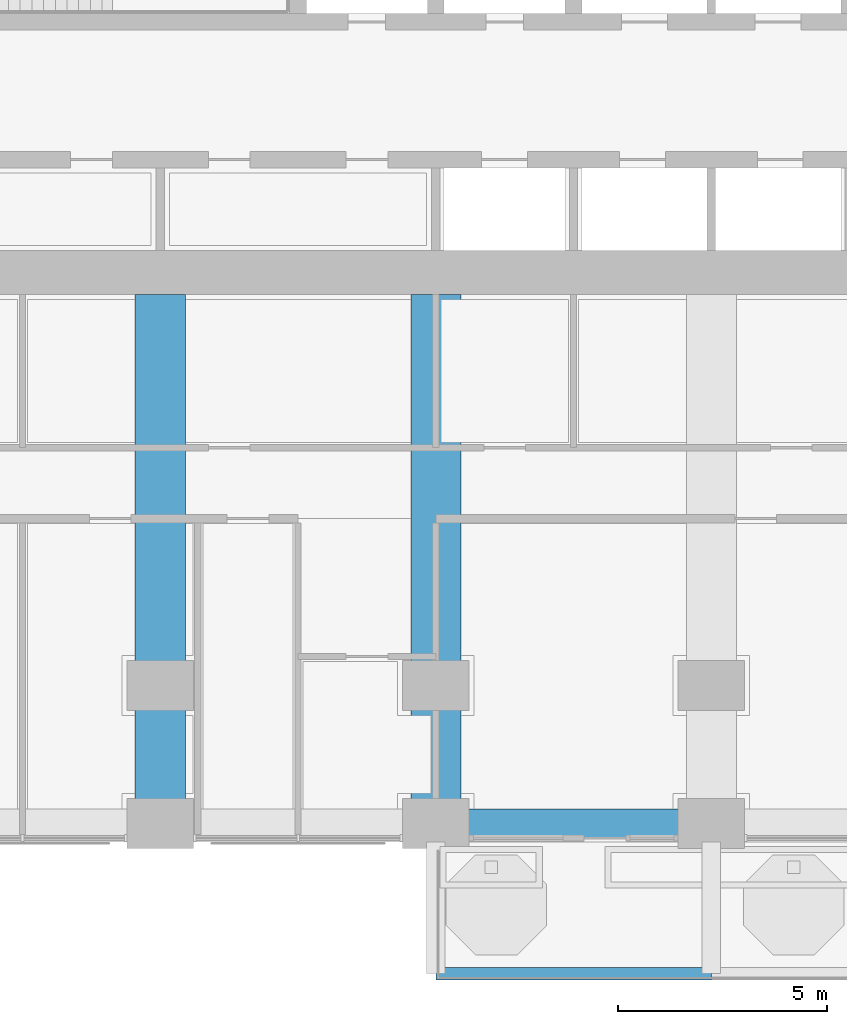
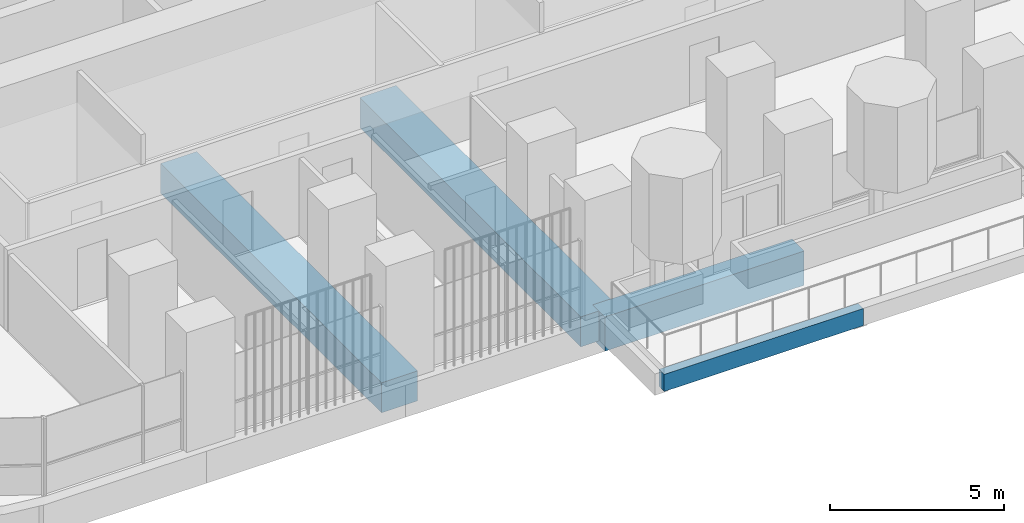
# One storey, part 3 of 21: 4 beams.
"""IFC4 building model written with IfcOpenShell, lengths in metres."""

from ifc_helpers import new_model, si_unit, direction, frame, origin, origin_2d, place, context, subcontext, project, spatial, rectangle, extrude, material, material_profile, profile_set, type_object, element, save


model = new_model("IFC4")

# Units and contexts
model_context = context("Model", 3, precision=1e-05, world=origin(), true_north=direction((0.0, 1.0)))
body_context = subcontext(model_context, "Body", "Model", "MODEL_VIEW")
ifc_project = project(units=[si_unit("LENGTHUNIT", "METRE"), si_unit("AREAUNIT", "SQUARE_METRE"), si_unit("VOLUMEUNIT", "CUBIC_METRE"), si_unit("PLANEANGLEUNIT", "RADIAN"), si_unit("MASSUNIT", "GRAM", prefix="KILO")], contexts=[model_context])

# Site, building, storey
site_placement = place(None, origin())
site = spatial("IfcSite", under=ifc_project, at=site_placement, CompositionType="ELEMENT")
building_placement = place(site_placement, origin())
building = spatial("IfcBuilding", under=site, at=building_placement, Name="Cobogo Forest Laboratory Tower", CompositionType="ELEMENT")
storey_placement = place(building_placement, frame((0.0, 0.0, 86.39990234375)))
storey = spatial("IfcBuildingStorey", under=building, at=storey_placement, Name="L19", CompositionType="ELEMENT", Elevation=86.39990234375)

# Beams
ifc_material = material(Name="Concrete HA-40 (C40/50)", Category="concrete")
ifc_material_profile_1 = material_profile(ifc_material, rectangle(XDim=0.300048828125, YDim=0.60009765625, at=origin_2d()), Name="RC 300x600")
ifc_profile_set_1 = profile_set([ifc_material_profile_1], Name="Concrete HA-40 (C40/50)")
beam_type_1 = type_object("IfcBeamType", Name="Balcony edge beam 300x600", PredefinedType="BEAM", material=ifc_profile_set_1)
beam_1_placement = place(storey_placement, frame((26.39990234375, -3.60009765625, -0.5498046875), z_axis=(1.0, 0.0, 0.0), x_axis=(0.0, 1.0, 0.0)))
element("IfcBeam", 1, at=beam_1_placement, inside=storey, type_object=beam_type_1, Name="BB1 BAL-S1-T1 L19", PredefinedType="BEAM", context=body_context, shape_type="SweptSolid", body=[
    extrude(rectangle(XDim=0.300048828125, YDim=0.60009765625, at=origin_2d()), origin(), (0.0, 0.0, 1.0), 6.60009765625),
])
ifc_material_profile_2 = material_profile(ifc_material, rectangle(XDim=1.199951171875, YDim=1.050048828125, at=origin_2d()), Name="RC 1200x1050")
ifc_profile_set_2 = profile_set([ifc_material_profile_2], Name="Concrete HA-40 (C40/50)")
beam_type_2 = type_object("IfcBeamType", Name="Laboratory floor wide beam 1200x1050", PredefinedType="BEAM", material=ifc_profile_set_2)
for number, where, z_axis, x_axis, name in (
    (2, (19.800048828125, 12.675048828125, -0.824951171875), (0.0, -1.0, 0.0), (1.0, 0.0, 0.0), "RB1 R-4-S L19"),
    (3, (26.39990234375, 12.675048828125, -0.824951171875), (0.0, -1.0, 0.0), (1.0, 0.0, 0.0), "RB1 R-5-S L19"),
):
    element("IfcBeam", number, at=place(storey_placement, frame(where, z_axis=z_axis, x_axis=x_axis)), inside=storey, type_object=beam_type_2, Name=name, PredefinedType="BEAM", context=body_context, shape_type="SweptSolid", body=[
        extrude(rectangle(XDim=1.199951171875, YDim=1.050048828125, at=origin_2d()), origin(), (0.0, 0.0, 1.0), 12.675048828125),
    ])
ifc_material_profile_3 = material_profile(ifc_material, rectangle(XDim=0.699951171875, YDim=1.199951171875, at=origin_2d()), Name="RC 700x1200")
ifc_profile_set_3 = profile_set([ifc_material_profile_3], Name="Concrete HA-40 (C40/50)")
beam_type_3 = type_object("IfcBeamType", Name="Perimeter edge beam 700x1200", PredefinedType="BEAM", material=ifc_profile_set_3)
beam_2_placement = place(storey_placement, frame((26.39990234375, 0.0, -0.89990234375), z_axis=(1.0, 0.0, 0.0), x_axis=(0.0, 1.0, 0.0)))
element("IfcBeam", 4, at=beam_2_placement, inside=storey, type_object=beam_type_3, Name="EB1 E-S3 L19", PredefinedType="BEAM", context=body_context, shape_type="SweptSolid", body=[
    extrude(rectangle(XDim=0.699951171875, YDim=1.199951171875, at=origin_2d()), origin(), (0.0, 0.0, 1.0), 6.60009765625),
])

save(model, "model.ifc")
